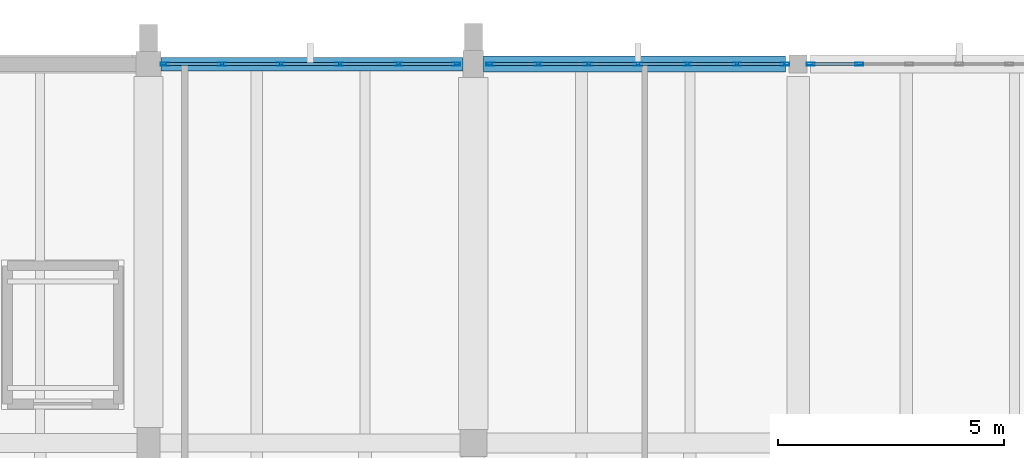
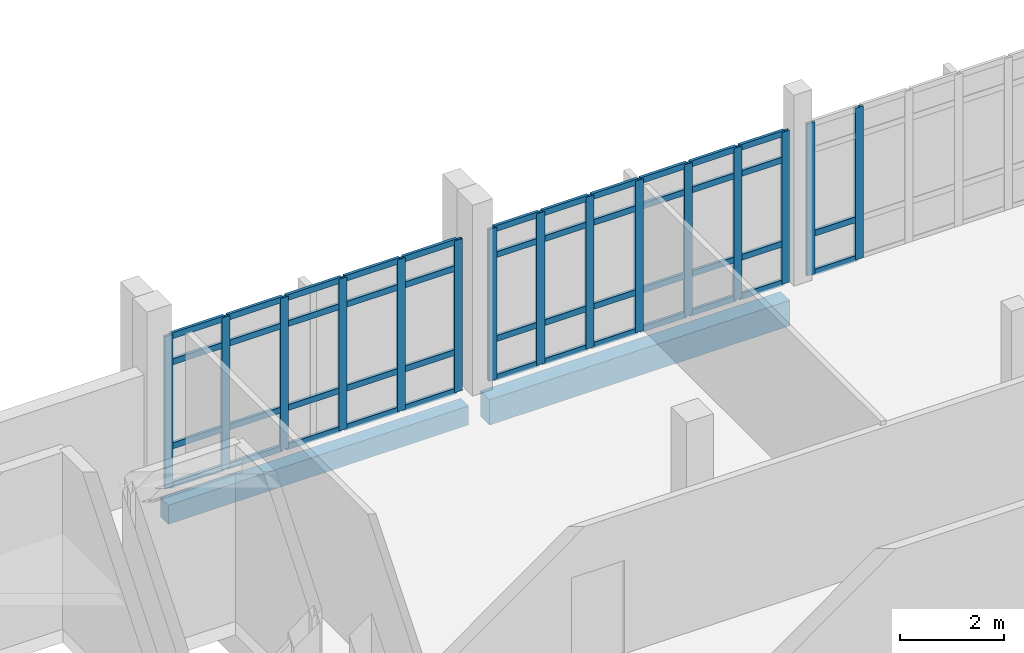
# One storey, part 25 of 41: 61 members, 2 beams, 3 elements without a shape of their own.
"""IFC4 building model written with IfcOpenShell, lengths in metres."""

from ifc_helpers import new_model, si_unit, direction, frame, origin, origin_2d, place, context, subcontext, project, spatial, rectangle, hollow_rectangle, extrude, material, material_profile, profile_set, type_object, element, aggregate, save


model = new_model("IFC4")

# Units and contexts
model_context = context("Model", 3, precision=1e-05, world=origin(), true_north=direction((0.0, 1.0)))
body_context = subcontext(model_context, "Body", "Model", "MODEL_VIEW")
ifc_project = project(units=[si_unit("LENGTHUNIT", "METRE"), si_unit("AREAUNIT", "SQUARE_METRE"), si_unit("VOLUMEUNIT", "CUBIC_METRE"), si_unit("PLANEANGLEUNIT", "RADIAN"), si_unit("MASSUNIT", "GRAM", prefix="KILO")], contexts=[model_context])

# Site, building, storey
site_placement = place(None, origin())
site = spatial("IfcSite", under=ifc_project, at=site_placement, CompositionType="ELEMENT")
building_placement = place(site_placement, origin())
building = spatial("IfcBuilding", under=site, at=building_placement, Name="Kalluvel Institute of Natural Sciences", CompositionType="ELEMENT")
storey_placement = place(building_placement, frame((0.0, 0.0, 32.39990234375)))
storey = spatial("IfcBuildingStorey", under=building, at=storey_placement, Name="L07", CompositionType="ELEMENT", Elevation=32.39990234375)

# Curtain wall, members
ifc_material_1 = material(Name="Aluminium AW-6063 T6", Category="aluminium")
curtain_wall_type = type_object("IfcCurtainWallType", Name="CW-WET-45", PredefinedType="USERDEFINED", material=ifc_material_1)
curtain_wall_1_placement = place(storey_placement, origin())
curtain_wall_1 = element("IfcCurtainWall", 1, at=curtain_wall_1_placement, inside=storey, type_object=curtain_wall_type, Name="L07 Gothic lancet curtain wall CWA-L07-X791-Y1280", ObjectType="UNITISED LANCET FACADE", PredefinedType="USERDEFINED")
ifc_material_profile_1 = material_profile(ifc_material_1, hollow_rectangle(XDim=0.06494140625, YDim=0.179931640625, WallThickness=0.00439453125, at=origin_2d()), Name="CWM 65x180")
ifc_profile_set_1 = profile_set([ifc_material_profile_1], Name="Aluminium AW-6063 T6")
member_type_1 = type_object("IfcMemberType", Name="CWM-65x180", PredefinedType="MULLION", material=ifc_profile_set_1)
member_1_placement = place(storey_placement, frame((79.157470703125, 128.0, 0.0), z_axis=(0.0, 0.0, 1.0), x_axis=(0.0, 1.0, 0.0)))
member_1 = element("IfcMember", 2, at=member_1_placement, type_object=member_type_1, Name="CW-01 mullion 1", PredefinedType="MULLION", context=body_context, shape_type="SweptSolid", body=[
    extrude(hollow_rectangle(XDim=0.06494140625, YDim=0.179931640625, WallThickness=0.00439453125, at=origin_2d()), origin(), (0.0, 0.0, 1.0), 3.580078125),
])
member_2_placement = place(storey_placement, frame((80.429931640625, 128.0, 0.0), z_axis=(0.0, 0.0, 1.0), x_axis=(0.0, 1.0, 0.0)))
member_2 = element("IfcMember", 3, at=member_2_placement, type_object=member_type_1, Name="CW-01 mullion 2", PredefinedType="MULLION", context=body_context, shape_type="SweptSolid", body=[
    extrude(hollow_rectangle(XDim=0.06494140625, YDim=0.179931640625, WallThickness=0.00439453125, at=origin_2d()), origin(), (0.0, 0.0, 1.0), 3.580078125),
])
member_3_placement = place(storey_placement, frame((81.735107421875, 128.0, 0.0), z_axis=(0.0, 0.0, 1.0), x_axis=(0.0, 1.0, 0.0)))
member_3 = element("IfcMember", 4, at=member_3_placement, type_object=member_type_1, Name="CW-01 mullion 3", PredefinedType="MULLION", context=body_context, shape_type="SweptSolid", body=[
    extrude(hollow_rectangle(XDim=0.06494140625, YDim=0.179931640625, WallThickness=0.00439453125, at=origin_2d()), origin(), (0.0, 0.0, 1.0), 3.580078125),
])
member_4_placement = place(storey_placement, frame((83.0400390625, 128.0, 0.0), z_axis=(0.0, 0.0, 1.0), x_axis=(0.0, 1.0, 0.0)))
member_4 = element("IfcMember", 5, at=member_4_placement, type_object=member_type_1, Name="CW-01 mullion 4", PredefinedType="MULLION", context=body_context, shape_type="SweptSolid", body=[
    extrude(hollow_rectangle(XDim=0.06494140625, YDim=0.179931640625, WallThickness=0.00439453125, at=origin_2d()), origin(), (0.0, 0.0, 1.0), 3.580078125),
])
member_5_placement = place(storey_placement, frame((84.344970703125, 128.0, 0.0), z_axis=(0.0, 0.0, 1.0), x_axis=(0.0, 1.0, 0.0)))
member_5 = element("IfcMember", 6, at=member_5_placement, type_object=member_type_1, Name="CW-01 mullion 5", PredefinedType="MULLION", context=body_context, shape_type="SweptSolid", body=[
    extrude(hollow_rectangle(XDim=0.06494140625, YDim=0.179931640625, WallThickness=0.00439453125, at=origin_2d()), origin(), (0.0, 0.0, 1.0), 3.580078125),
])
member_6_placement = place(storey_placement, frame((85.617431640625, 128.0, 0.0), z_axis=(0.0, 0.0, 1.0), x_axis=(0.0, 1.0, 0.0)))
member_6 = element("IfcMember", 7, at=member_6_placement, type_object=member_type_1, Name="CW-01 mullion 6", PredefinedType="MULLION", context=body_context, shape_type="SweptSolid", body=[
    extrude(hollow_rectangle(XDim=0.06494140625, YDim=0.179931640625, WallThickness=0.00439453125, at=origin_2d()), origin(), (0.0, 0.0, 1.0), 3.580078125),
])

curtain_wall_2_placement = place(storey_placement, origin())
curtain_wall_2 = element("IfcCurtainWall", 8, at=curtain_wall_2_placement, inside=storey, type_object=curtain_wall_type, Name="L07 Gothic lancet curtain wall CWA-L07-X864-Y1280", ObjectType="UNITISED LANCET FACADE", PredefinedType="USERDEFINED")
member_7_placement = place(storey_placement, frame((86.382568359375, 128.0, 0.0), z_axis=(0.0, 0.0, 1.0), x_axis=(0.0, 1.0, 0.0)))
member_7 = element("IfcMember", 9, at=member_7_placement, type_object=member_type_1, Name="CW-01 mullion 1", PredefinedType="MULLION", context=body_context, shape_type="SweptSolid", body=[
    extrude(hollow_rectangle(XDim=0.06494140625, YDim=0.179931640625, WallThickness=0.00439453125, at=origin_2d()), origin(), (0.0, 0.0, 1.0), 3.580078125),
])
member_8_placement = place(storey_placement, frame((87.449951171875, 128.0, 0.0), z_axis=(0.0, 0.0, 1.0), x_axis=(0.0, 1.0, 0.0)))
member_8 = element("IfcMember", 10, at=member_8_placement, type_object=member_type_1, Name="CW-01 mullion 2", PredefinedType="MULLION", context=body_context, shape_type="SweptSolid", body=[
    extrude(hollow_rectangle(XDim=0.06494140625, YDim=0.179931640625, WallThickness=0.00439453125, at=origin_2d()), origin(), (0.0, 0.0, 1.0), 3.580078125),
])
member_9_placement = place(storey_placement, frame((88.550048828125, 128.0, 0.0), z_axis=(0.0, 0.0, 1.0), x_axis=(0.0, 1.0, 0.0)))
member_9 = element("IfcMember", 11, at=member_9_placement, type_object=member_type_1, Name="CW-01 mullion 3", PredefinedType="MULLION", context=body_context, shape_type="SweptSolid", body=[
    extrude(hollow_rectangle(XDim=0.06494140625, YDim=0.179931640625, WallThickness=0.00439453125, at=origin_2d()), origin(), (0.0, 0.0, 1.0), 3.580078125),
])
member_10_placement = place(storey_placement, frame((89.64990234375, 128.0, 0.0), z_axis=(0.0, 0.0, 1.0), x_axis=(0.0, 1.0, 0.0)))
member_10 = element("IfcMember", 12, at=member_10_placement, type_object=member_type_1, Name="CW-01 mullion 4", PredefinedType="MULLION", context=body_context, shape_type="SweptSolid", body=[
    extrude(hollow_rectangle(XDim=0.06494140625, YDim=0.179931640625, WallThickness=0.00439453125, at=origin_2d()), origin(), (0.0, 0.0, 1.0), 3.580078125),
])
member_11_placement = place(storey_placement, frame((90.75, 128.0, 0.0), z_axis=(0.0, 0.0, 1.0), x_axis=(0.0, 1.0, 0.0)))
member_11 = element("IfcMember", 13, at=member_11_placement, type_object=member_type_1, Name="CW-01 mullion 5", PredefinedType="MULLION", context=body_context, shape_type="SweptSolid", body=[
    extrude(hollow_rectangle(XDim=0.06494140625, YDim=0.179931640625, WallThickness=0.00439453125, at=origin_2d()), origin(), (0.0, 0.0, 1.0), 3.580078125),
])
member_12_placement = place(storey_placement, frame((91.85009765625, 128.0, 0.0), z_axis=(0.0, 0.0, 1.0), x_axis=(0.0, 1.0, 0.0)))
member_12 = element("IfcMember", 14, at=member_12_placement, type_object=member_type_1, Name="CW-01 mullion 6", PredefinedType="MULLION", context=body_context, shape_type="SweptSolid", body=[
    extrude(hollow_rectangle(XDim=0.06494140625, YDim=0.179931640625, WallThickness=0.00439453125, at=origin_2d()), origin(), (0.0, 0.0, 1.0), 3.580078125),
])
member_13_placement = place(storey_placement, frame((92.91748046875, 128.0, 0.0), z_axis=(0.0, 0.0, 1.0), x_axis=(0.0, 1.0, 0.0)))
member_13 = element("IfcMember", 15, at=member_13_placement, type_object=member_type_1, Name="CW-01 mullion 7", PredefinedType="MULLION", context=body_context, shape_type="SweptSolid", body=[
    extrude(hollow_rectangle(XDim=0.06494140625, YDim=0.179931640625, WallThickness=0.00439453125, at=origin_2d()), origin(), (0.0, 0.0, 1.0), 3.580078125),
])

curtain_wall_3_placement = place(storey_placement, origin())
curtain_wall_3 = element("IfcCurtainWall", 16, at=curtain_wall_3_placement, inside=storey, type_object=curtain_wall_type, Name="L07 Gothic lancet curtain wall CWA-L07-X934-Y1280", ObjectType="UNITISED LANCET FACADE", PredefinedType="USERDEFINED")
member_14_placement = place(storey_placement, frame((93.482421875, 128.0, 0.0), z_axis=(0.0, 0.0, 1.0), x_axis=(0.0, 1.0, 0.0)))
member_14 = element("IfcMember", 17, at=member_14_placement, type_object=member_type_1, Name="CW-01 mullion 1", PredefinedType="MULLION", context=body_context, shape_type="SweptSolid", body=[
    extrude(hollow_rectangle(XDim=0.06494140625, YDim=0.179931640625, WallThickness=0.00439453125, at=origin_2d()), origin(), (0.0, 0.0, 1.0), 3.580078125),
])
member_15_placement = place(storey_placement, frame((94.558349609375, 128.0, 0.0), z_axis=(0.0, 0.0, 1.0), x_axis=(0.0, 1.0, 0.0)))
member_15 = element("IfcMember", 18, at=member_15_placement, type_object=member_type_1, Name="CW-01 mullion 2", PredefinedType="MULLION", context=body_context, shape_type="SweptSolid", body=[
    extrude(hollow_rectangle(XDim=0.06494140625, YDim=0.179931640625, WallThickness=0.00439453125, at=origin_2d()), origin(), (0.0, 0.0, 1.0), 3.580078125),
])

# Member
ifc_material_profile_2 = material_profile(ifc_material_1, hollow_rectangle(XDim=0.06494140625, YDim=0.139892578125, WallThickness=0.00439453125, at=origin_2d()), Name="CWT 65x140")
ifc_profile_set_2 = profile_set([ifc_material_profile_2], Name="Aluminium AW-6063 T6")
member_type_2 = type_object("IfcMemberType", Name="CWT-65x140", PredefinedType="USERDEFINED", material=ifc_profile_set_2)
member_16_placement = place(storey_placement, frame((79.18994140625, 128.0, 0.03271484375), z_axis=(1.0, 0.0, 0.0), x_axis=(0.0, 1.0, 0.0)))
member_16 = element("IfcMember", 19, at=member_16_placement, type_object=member_type_2, Name="CW-01 transom 1.1", ObjectType="TRANSOM", PredefinedType="USERDEFINED", context=body_context, shape_type="SweptSolid", body=[
    extrude(hollow_rectangle(XDim=0.06494140625, YDim=0.139892578125, WallThickness=0.00439453125, at=origin_2d()), origin(), (0.0, 0.0, 1.0), 1.20751953125),
])

member_17_placement = place(storey_placement, frame((79.18994140625, 128.0, 0.9501953125), z_axis=(1.0, 0.0, 0.0), x_axis=(0.0, 1.0, 0.0)))
member_17 = element("IfcMember", 20, at=member_17_placement, type_object=member_type_2, Name="CW-01 transom 1.2", ObjectType="TRANSOM", PredefinedType="USERDEFINED", context=body_context, shape_type="SweptSolid", body=[
    extrude(hollow_rectangle(XDim=0.06494140625, YDim=0.139892578125, WallThickness=0.00439453125, at=origin_2d()), origin(), (0.0, 0.0, 1.0), 1.20751953125),
])

member_18_placement = place(storey_placement, frame((79.18994140625, 128.0, 2.93017578125), z_axis=(1.0, 0.0, 0.0), x_axis=(0.0, 1.0, 0.0)))
member_18 = element("IfcMember", 21, at=member_18_placement, type_object=member_type_2, Name="CW-01 transom 1.3", ObjectType="TRANSOM", PredefinedType="USERDEFINED", context=body_context, shape_type="SweptSolid", body=[
    extrude(hollow_rectangle(XDim=0.06494140625, YDim=0.139892578125, WallThickness=0.00439453125, at=origin_2d()), origin(), (0.0, 0.0, 1.0), 1.20751953125),
])

member_19_placement = place(storey_placement, frame((79.18994140625, 128.0, 3.547607421875), z_axis=(1.0, 0.0, 0.0), x_axis=(0.0, 1.0, 0.0)))
member_19 = element("IfcMember", 22, at=member_19_placement, type_object=member_type_2, Name="CW-01 transom 1.4", ObjectType="TRANSOM", PredefinedType="USERDEFINED", context=body_context, shape_type="SweptSolid", body=[
    extrude(hollow_rectangle(XDim=0.06494140625, YDim=0.139892578125, WallThickness=0.00439453125, at=origin_2d()), origin(), (0.0, 0.0, 1.0), 1.20751953125),
])

member_20_placement = place(storey_placement, frame((80.46240234375, 128.0, 0.03271484375), z_axis=(1.0, 0.0, 0.0), x_axis=(0.0, 1.0, 0.0)))
member_20 = element("IfcMember", 23, at=member_20_placement, type_object=member_type_2, Name="CW-01 transom 2.1", ObjectType="TRANSOM", PredefinedType="USERDEFINED", context=body_context, shape_type="SweptSolid", body=[
    extrude(hollow_rectangle(XDim=0.06494140625, YDim=0.139892578125, WallThickness=0.00439453125, at=origin_2d()), origin(), (0.0, 0.0, 1.0), 1.239990234375),
])

member_21_placement = place(storey_placement, frame((80.46240234375, 128.0, 0.9501953125), z_axis=(1.0, 0.0, 0.0), x_axis=(0.0, 1.0, 0.0)))
member_21 = element("IfcMember", 24, at=member_21_placement, type_object=member_type_2, Name="CW-01 transom 2.2", ObjectType="TRANSOM", PredefinedType="USERDEFINED", context=body_context, shape_type="SweptSolid", body=[
    extrude(hollow_rectangle(XDim=0.06494140625, YDim=0.139892578125, WallThickness=0.00439453125, at=origin_2d()), origin(), (0.0, 0.0, 1.0), 1.239990234375),
])

member_22_placement = place(storey_placement, frame((80.46240234375, 128.0, 2.93017578125), z_axis=(1.0, 0.0, 0.0), x_axis=(0.0, 1.0, 0.0)))
member_22 = element("IfcMember", 25, at=member_22_placement, type_object=member_type_2, Name="CW-01 transom 2.3", ObjectType="TRANSOM", PredefinedType="USERDEFINED", context=body_context, shape_type="SweptSolid", body=[
    extrude(hollow_rectangle(XDim=0.06494140625, YDim=0.139892578125, WallThickness=0.00439453125, at=origin_2d()), origin(), (0.0, 0.0, 1.0), 1.239990234375),
])

member_23_placement = place(storey_placement, frame((80.46240234375, 128.0, 3.547607421875), z_axis=(1.0, 0.0, 0.0), x_axis=(0.0, 1.0, 0.0)))
member_23 = element("IfcMember", 26, at=member_23_placement, type_object=member_type_2, Name="CW-01 transom 2.4", ObjectType="TRANSOM", PredefinedType="USERDEFINED", context=body_context, shape_type="SweptSolid", body=[
    extrude(hollow_rectangle(XDim=0.06494140625, YDim=0.139892578125, WallThickness=0.00439453125, at=origin_2d()), origin(), (0.0, 0.0, 1.0), 1.239990234375),
])

member_24_placement = place(storey_placement, frame((81.767578125, 128.0, 0.03271484375), z_axis=(1.0, 0.0, 0.0), x_axis=(0.0, 1.0, 0.0)))
member_24 = element("IfcMember", 27, at=member_24_placement, type_object=member_type_2, Name="CW-01 transom 3.1", ObjectType="TRANSOM", PredefinedType="USERDEFINED", context=body_context, shape_type="SweptSolid", body=[
    extrude(hollow_rectangle(XDim=0.06494140625, YDim=0.139892578125, WallThickness=0.00439453125, at=origin_2d()), origin(), (0.0, 0.0, 1.0), 1.239990234375),
])

member_25_placement = place(storey_placement, frame((81.767578125, 128.0, 0.9501953125), z_axis=(1.0, 0.0, 0.0), x_axis=(0.0, 1.0, 0.0)))
member_25 = element("IfcMember", 28, at=member_25_placement, type_object=member_type_2, Name="CW-01 transom 3.2", ObjectType="TRANSOM", PredefinedType="USERDEFINED", context=body_context, shape_type="SweptSolid", body=[
    extrude(hollow_rectangle(XDim=0.06494140625, YDim=0.139892578125, WallThickness=0.00439453125, at=origin_2d()), origin(), (0.0, 0.0, 1.0), 1.239990234375),
])

member_26_placement = place(storey_placement, frame((81.767578125, 128.0, 2.93017578125), z_axis=(1.0, 0.0, 0.0), x_axis=(0.0, 1.0, 0.0)))
member_26 = element("IfcMember", 29, at=member_26_placement, type_object=member_type_2, Name="CW-01 transom 3.3", ObjectType="TRANSOM", PredefinedType="USERDEFINED", context=body_context, shape_type="SweptSolid", body=[
    extrude(hollow_rectangle(XDim=0.06494140625, YDim=0.139892578125, WallThickness=0.00439453125, at=origin_2d()), origin(), (0.0, 0.0, 1.0), 1.239990234375),
])

member_27_placement = place(storey_placement, frame((81.767578125, 128.0, 3.547607421875), z_axis=(1.0, 0.0, 0.0), x_axis=(0.0, 1.0, 0.0)))
member_27 = element("IfcMember", 30, at=member_27_placement, type_object=member_type_2, Name="CW-01 transom 3.4", ObjectType="TRANSOM", PredefinedType="USERDEFINED", context=body_context, shape_type="SweptSolid", body=[
    extrude(hollow_rectangle(XDim=0.06494140625, YDim=0.139892578125, WallThickness=0.00439453125, at=origin_2d()), origin(), (0.0, 0.0, 1.0), 1.239990234375),
])

member_28_placement = place(storey_placement, frame((83.072509765625, 128.0, 0.03271484375), z_axis=(1.0, 0.0, 0.0), x_axis=(0.0, 1.0, 0.0)))
member_28 = element("IfcMember", 31, at=member_28_placement, type_object=member_type_2, Name="CW-01 transom 4.1", ObjectType="TRANSOM", PredefinedType="USERDEFINED", context=body_context, shape_type="SweptSolid", body=[
    extrude(hollow_rectangle(XDim=0.06494140625, YDim=0.139892578125, WallThickness=0.00439453125, at=origin_2d()), origin(), (0.0, 0.0, 1.0), 1.239990234375),
])

member_29_placement = place(storey_placement, frame((83.072509765625, 128.0, 0.9501953125), z_axis=(1.0, 0.0, 0.0), x_axis=(0.0, 1.0, 0.0)))
member_29 = element("IfcMember", 32, at=member_29_placement, type_object=member_type_2, Name="CW-01 transom 4.2", ObjectType="TRANSOM", PredefinedType="USERDEFINED", context=body_context, shape_type="SweptSolid", body=[
    extrude(hollow_rectangle(XDim=0.06494140625, YDim=0.139892578125, WallThickness=0.00439453125, at=origin_2d()), origin(), (0.0, 0.0, 1.0), 1.239990234375),
])

member_30_placement = place(storey_placement, frame((83.072509765625, 128.0, 2.93017578125), z_axis=(1.0, 0.0, 0.0), x_axis=(0.0, 1.0, 0.0)))
member_30 = element("IfcMember", 33, at=member_30_placement, type_object=member_type_2, Name="CW-01 transom 4.3", ObjectType="TRANSOM", PredefinedType="USERDEFINED", context=body_context, shape_type="SweptSolid", body=[
    extrude(hollow_rectangle(XDim=0.06494140625, YDim=0.139892578125, WallThickness=0.00439453125, at=origin_2d()), origin(), (0.0, 0.0, 1.0), 1.239990234375),
])

member_31_placement = place(storey_placement, frame((83.072509765625, 128.0, 3.547607421875), z_axis=(1.0, 0.0, 0.0), x_axis=(0.0, 1.0, 0.0)))
member_31 = element("IfcMember", 34, at=member_31_placement, type_object=member_type_2, Name="CW-01 transom 4.4", ObjectType="TRANSOM", PredefinedType="USERDEFINED", context=body_context, shape_type="SweptSolid", body=[
    extrude(hollow_rectangle(XDim=0.06494140625, YDim=0.139892578125, WallThickness=0.00439453125, at=origin_2d()), origin(), (0.0, 0.0, 1.0), 1.239990234375),
])

member_32_placement = place(storey_placement, frame((84.37744140625, 128.0, 0.03271484375), z_axis=(1.0, 0.0, 0.0), x_axis=(0.0, 1.0, 0.0)))
member_32 = element("IfcMember", 35, at=member_32_placement, type_object=member_type_2, Name="CW-01 transom 5.1", ObjectType="TRANSOM", PredefinedType="USERDEFINED", context=body_context, shape_type="SweptSolid", body=[
    extrude(hollow_rectangle(XDim=0.06494140625, YDim=0.139892578125, WallThickness=0.00439453125, at=origin_2d()), origin(), (0.0, 0.0, 1.0), 1.20751953125),
])

member_33_placement = place(storey_placement, frame((84.37744140625, 128.0, 0.9501953125), z_axis=(1.0, 0.0, 0.0), x_axis=(0.0, 1.0, 0.0)))
member_33 = element("IfcMember", 36, at=member_33_placement, type_object=member_type_2, Name="CW-01 transom 5.2", ObjectType="TRANSOM", PredefinedType="USERDEFINED", context=body_context, shape_type="SweptSolid", body=[
    extrude(hollow_rectangle(XDim=0.06494140625, YDim=0.139892578125, WallThickness=0.00439453125, at=origin_2d()), origin(), (0.0, 0.0, 1.0), 1.20751953125),
])

member_34_placement = place(storey_placement, frame((84.37744140625, 128.0, 2.93017578125), z_axis=(1.0, 0.0, 0.0), x_axis=(0.0, 1.0, 0.0)))
member_34 = element("IfcMember", 37, at=member_34_placement, type_object=member_type_2, Name="CW-01 transom 5.3", ObjectType="TRANSOM", PredefinedType="USERDEFINED", context=body_context, shape_type="SweptSolid", body=[
    extrude(hollow_rectangle(XDim=0.06494140625, YDim=0.139892578125, WallThickness=0.00439453125, at=origin_2d()), origin(), (0.0, 0.0, 1.0), 1.20751953125),
])

member_35_placement = place(storey_placement, frame((84.37744140625, 128.0, 3.547607421875), z_axis=(1.0, 0.0, 0.0), x_axis=(0.0, 1.0, 0.0)))
member_35 = element("IfcMember", 38, at=member_35_placement, type_object=member_type_2, Name="CW-01 transom 5.4", ObjectType="TRANSOM", PredefinedType="USERDEFINED", context=body_context, shape_type="SweptSolid", body=[
    extrude(hollow_rectangle(XDim=0.06494140625, YDim=0.139892578125, WallThickness=0.00439453125, at=origin_2d()), origin(), (0.0, 0.0, 1.0), 1.20751953125),
])

aggregate(curtain_wall_1, [member_1, member_2, member_3, member_4, member_5, member_6, member_16, member_17, member_18, member_19, member_20, member_21, member_22, member_23, member_24, member_25, member_26, member_27, member_28, member_29, member_30, member_31, member_32, member_33, member_34, member_35])

member_36_placement = place(storey_placement, frame((86.4150390625, 128.0, 0.03271484375), z_axis=(1.0, 0.0, 0.0), x_axis=(0.0, 1.0, 0.0)))
member_36 = element("IfcMember", 39, at=member_36_placement, type_object=member_type_2, Name="CW-01 transom 1.1", ObjectType="TRANSOM", PredefinedType="USERDEFINED", context=body_context, shape_type="SweptSolid", body=[
    extrude(hollow_rectangle(XDim=0.06494140625, YDim=0.139892578125, WallThickness=0.00439453125, at=origin_2d()), origin(), (0.0, 0.0, 1.0), 1.00244140625),
])

member_37_placement = place(storey_placement, frame((86.4150390625, 128.0, 0.9501953125), z_axis=(1.0, 0.0, 0.0), x_axis=(0.0, 1.0, 0.0)))
member_37 = element("IfcMember", 40, at=member_37_placement, type_object=member_type_2, Name="CW-01 transom 1.2", ObjectType="TRANSOM", PredefinedType="USERDEFINED", context=body_context, shape_type="SweptSolid", body=[
    extrude(hollow_rectangle(XDim=0.06494140625, YDim=0.139892578125, WallThickness=0.00439453125, at=origin_2d()), origin(), (0.0, 0.0, 1.0), 1.00244140625),
])

member_38_placement = place(storey_placement, frame((86.4150390625, 128.0, 2.93017578125), z_axis=(1.0, 0.0, 0.0), x_axis=(0.0, 1.0, 0.0)))
member_38 = element("IfcMember", 41, at=member_38_placement, type_object=member_type_2, Name="CW-01 transom 1.3", ObjectType="TRANSOM", PredefinedType="USERDEFINED", context=body_context, shape_type="SweptSolid", body=[
    extrude(hollow_rectangle(XDim=0.06494140625, YDim=0.139892578125, WallThickness=0.00439453125, at=origin_2d()), origin(), (0.0, 0.0, 1.0), 1.00244140625),
])

member_39_placement = place(storey_placement, frame((86.4150390625, 128.0, 3.547607421875), z_axis=(1.0, 0.0, 0.0), x_axis=(0.0, 1.0, 0.0)))
member_39 = element("IfcMember", 42, at=member_39_placement, type_object=member_type_2, Name="CW-01 transom 1.4", ObjectType="TRANSOM", PredefinedType="USERDEFINED", context=body_context, shape_type="SweptSolid", body=[
    extrude(hollow_rectangle(XDim=0.06494140625, YDim=0.139892578125, WallThickness=0.00439453125, at=origin_2d()), origin(), (0.0, 0.0, 1.0), 1.00244140625),
])

member_40_placement = place(storey_placement, frame((87.482421875, 128.0, 0.03271484375), z_axis=(1.0, 0.0, 0.0), x_axis=(0.0, 1.0, 0.0)))
member_40 = element("IfcMember", 43, at=member_40_placement, type_object=member_type_2, Name="CW-01 transom 2.1", ObjectType="TRANSOM", PredefinedType="USERDEFINED", context=body_context, shape_type="SweptSolid", body=[
    extrude(hollow_rectangle(XDim=0.06494140625, YDim=0.139892578125, WallThickness=0.00439453125, at=origin_2d()), origin(), (0.0, 0.0, 1.0), 1.03515625),
])

member_41_placement = place(storey_placement, frame((87.482421875, 128.0, 0.9501953125), z_axis=(1.0, 0.0, 0.0), x_axis=(0.0, 1.0, 0.0)))
member_41 = element("IfcMember", 44, at=member_41_placement, type_object=member_type_2, Name="CW-01 transom 2.2", ObjectType="TRANSOM", PredefinedType="USERDEFINED", context=body_context, shape_type="SweptSolid", body=[
    extrude(hollow_rectangle(XDim=0.06494140625, YDim=0.139892578125, WallThickness=0.00439453125, at=origin_2d()), origin(), (0.0, 0.0, 1.0), 1.03515625),
])

member_42_placement = place(storey_placement, frame((87.482421875, 128.0, 2.93017578125), z_axis=(1.0, 0.0, 0.0), x_axis=(0.0, 1.0, 0.0)))
member_42 = element("IfcMember", 45, at=member_42_placement, type_object=member_type_2, Name="CW-01 transom 2.3", ObjectType="TRANSOM", PredefinedType="USERDEFINED", context=body_context, shape_type="SweptSolid", body=[
    extrude(hollow_rectangle(XDim=0.06494140625, YDim=0.139892578125, WallThickness=0.00439453125, at=origin_2d()), origin(), (0.0, 0.0, 1.0), 1.03515625),
])

member_43_placement = place(storey_placement, frame((87.482421875, 128.0, 3.547607421875), z_axis=(1.0, 0.0, 0.0), x_axis=(0.0, 1.0, 0.0)))
member_43 = element("IfcMember", 46, at=member_43_placement, type_object=member_type_2, Name="CW-01 transom 2.4", ObjectType="TRANSOM", PredefinedType="USERDEFINED", context=body_context, shape_type="SweptSolid", body=[
    extrude(hollow_rectangle(XDim=0.06494140625, YDim=0.139892578125, WallThickness=0.00439453125, at=origin_2d()), origin(), (0.0, 0.0, 1.0), 1.03515625),
])

member_44_placement = place(storey_placement, frame((88.58251953125, 128.0, 0.03271484375), z_axis=(1.0, 0.0, 0.0), x_axis=(0.0, 1.0, 0.0)))
member_44 = element("IfcMember", 47, at=member_44_placement, type_object=member_type_2, Name="CW-01 transom 3.1", ObjectType="TRANSOM", PredefinedType="USERDEFINED", context=body_context, shape_type="SweptSolid", body=[
    extrude(hollow_rectangle(XDim=0.06494140625, YDim=0.139892578125, WallThickness=0.00439453125, at=origin_2d()), origin(), (0.0, 0.0, 1.0), 1.034912109375),
])

member_45_placement = place(storey_placement, frame((88.58251953125, 128.0, 0.9501953125), z_axis=(1.0, 0.0, 0.0), x_axis=(0.0, 1.0, 0.0)))
member_45 = element("IfcMember", 48, at=member_45_placement, type_object=member_type_2, Name="CW-01 transom 3.2", ObjectType="TRANSOM", PredefinedType="USERDEFINED", context=body_context, shape_type="SweptSolid", body=[
    extrude(hollow_rectangle(XDim=0.06494140625, YDim=0.139892578125, WallThickness=0.00439453125, at=origin_2d()), origin(), (0.0, 0.0, 1.0), 1.034912109375),
])

member_46_placement = place(storey_placement, frame((88.58251953125, 128.0, 2.93017578125), z_axis=(1.0, 0.0, 0.0), x_axis=(0.0, 1.0, 0.0)))
member_46 = element("IfcMember", 49, at=member_46_placement, type_object=member_type_2, Name="CW-01 transom 3.3", ObjectType="TRANSOM", PredefinedType="USERDEFINED", context=body_context, shape_type="SweptSolid", body=[
    extrude(hollow_rectangle(XDim=0.06494140625, YDim=0.139892578125, WallThickness=0.00439453125, at=origin_2d()), origin(), (0.0, 0.0, 1.0), 1.034912109375),
])

member_47_placement = place(storey_placement, frame((88.58251953125, 128.0, 3.547607421875), z_axis=(1.0, 0.0, 0.0), x_axis=(0.0, 1.0, 0.0)))
member_47 = element("IfcMember", 50, at=member_47_placement, type_object=member_type_2, Name="CW-01 transom 3.4", ObjectType="TRANSOM", PredefinedType="USERDEFINED", context=body_context, shape_type="SweptSolid", body=[
    extrude(hollow_rectangle(XDim=0.06494140625, YDim=0.139892578125, WallThickness=0.00439453125, at=origin_2d()), origin(), (0.0, 0.0, 1.0), 1.034912109375),
])

member_48_placement = place(storey_placement, frame((89.6826171875, 128.0, 0.03271484375), z_axis=(1.0, 0.0, 0.0), x_axis=(0.0, 1.0, 0.0)))
member_48 = element("IfcMember", 51, at=member_48_placement, type_object=member_type_2, Name="CW-01 transom 4.1", ObjectType="TRANSOM", PredefinedType="USERDEFINED", context=body_context, shape_type="SweptSolid", body=[
    extrude(hollow_rectangle(XDim=0.06494140625, YDim=0.139892578125, WallThickness=0.00439453125, at=origin_2d()), origin(), (0.0, 0.0, 1.0), 1.034912109375),
])

member_49_placement = place(storey_placement, frame((89.6826171875, 128.0, 0.9501953125), z_axis=(1.0, 0.0, 0.0), x_axis=(0.0, 1.0, 0.0)))
member_49 = element("IfcMember", 52, at=member_49_placement, type_object=member_type_2, Name="CW-01 transom 4.2", ObjectType="TRANSOM", PredefinedType="USERDEFINED", context=body_context, shape_type="SweptSolid", body=[
    extrude(hollow_rectangle(XDim=0.06494140625, YDim=0.139892578125, WallThickness=0.00439453125, at=origin_2d()), origin(), (0.0, 0.0, 1.0), 1.034912109375),
])

member_50_placement = place(storey_placement, frame((89.6826171875, 128.0, 2.93017578125), z_axis=(1.0, 0.0, 0.0), x_axis=(0.0, 1.0, 0.0)))
member_50 = element("IfcMember", 53, at=member_50_placement, type_object=member_type_2, Name="CW-01 transom 4.3", ObjectType="TRANSOM", PredefinedType="USERDEFINED", context=body_context, shape_type="SweptSolid", body=[
    extrude(hollow_rectangle(XDim=0.06494140625, YDim=0.139892578125, WallThickness=0.00439453125, at=origin_2d()), origin(), (0.0, 0.0, 1.0), 1.034912109375),
])

member_51_placement = place(storey_placement, frame((89.6826171875, 128.0, 3.547607421875), z_axis=(1.0, 0.0, 0.0), x_axis=(0.0, 1.0, 0.0)))
member_51 = element("IfcMember", 54, at=member_51_placement, type_object=member_type_2, Name="CW-01 transom 4.4", ObjectType="TRANSOM", PredefinedType="USERDEFINED", context=body_context, shape_type="SweptSolid", body=[
    extrude(hollow_rectangle(XDim=0.06494140625, YDim=0.139892578125, WallThickness=0.00439453125, at=origin_2d()), origin(), (0.0, 0.0, 1.0), 1.034912109375),
])

member_52_placement = place(storey_placement, frame((90.782470703125, 128.0, 0.03271484375), z_axis=(1.0, 0.0, 0.0), x_axis=(0.0, 1.0, 0.0)))
member_52 = element("IfcMember", 55, at=member_52_placement, type_object=member_type_2, Name="CW-01 transom 5.1", ObjectType="TRANSOM", PredefinedType="USERDEFINED", context=body_context, shape_type="SweptSolid", body=[
    extrude(hollow_rectangle(XDim=0.06494140625, YDim=0.139892578125, WallThickness=0.00439453125, at=origin_2d()), origin(), (0.0, 0.0, 1.0), 1.034912109375),
])

member_53_placement = place(storey_placement, frame((90.782470703125, 128.0, 0.9501953125), z_axis=(1.0, 0.0, 0.0), x_axis=(0.0, 1.0, 0.0)))
member_53 = element("IfcMember", 56, at=member_53_placement, type_object=member_type_2, Name="CW-01 transom 5.2", ObjectType="TRANSOM", PredefinedType="USERDEFINED", context=body_context, shape_type="SweptSolid", body=[
    extrude(hollow_rectangle(XDim=0.06494140625, YDim=0.139892578125, WallThickness=0.00439453125, at=origin_2d()), origin(), (0.0, 0.0, 1.0), 1.034912109375),
])

member_54_placement = place(storey_placement, frame((90.782470703125, 128.0, 2.93017578125), z_axis=(1.0, 0.0, 0.0), x_axis=(0.0, 1.0, 0.0)))
member_54 = element("IfcMember", 57, at=member_54_placement, type_object=member_type_2, Name="CW-01 transom 5.3", ObjectType="TRANSOM", PredefinedType="USERDEFINED", context=body_context, shape_type="SweptSolid", body=[
    extrude(hollow_rectangle(XDim=0.06494140625, YDim=0.139892578125, WallThickness=0.00439453125, at=origin_2d()), origin(), (0.0, 0.0, 1.0), 1.034912109375),
])

member_55_placement = place(storey_placement, frame((90.782470703125, 128.0, 3.547607421875), z_axis=(1.0, 0.0, 0.0), x_axis=(0.0, 1.0, 0.0)))
member_55 = element("IfcMember", 58, at=member_55_placement, type_object=member_type_2, Name="CW-01 transom 5.4", ObjectType="TRANSOM", PredefinedType="USERDEFINED", context=body_context, shape_type="SweptSolid", body=[
    extrude(hollow_rectangle(XDim=0.06494140625, YDim=0.139892578125, WallThickness=0.00439453125, at=origin_2d()), origin(), (0.0, 0.0, 1.0), 1.034912109375),
])

member_56_placement = place(storey_placement, frame((91.882568359375, 128.0, 0.03271484375), z_axis=(1.0, 0.0, 0.0), x_axis=(0.0, 1.0, 0.0)))
member_56 = element("IfcMember", 59, at=member_56_placement, type_object=member_type_2, Name="CW-01 transom 6.1", ObjectType="TRANSOM", PredefinedType="USERDEFINED", context=body_context, shape_type="SweptSolid", body=[
    extrude(hollow_rectangle(XDim=0.06494140625, YDim=0.139892578125, WallThickness=0.00439453125, at=origin_2d()), origin(), (0.0, 0.0, 1.0), 1.00244140625),
])

member_57_placement = place(storey_placement, frame((91.882568359375, 128.0, 0.9501953125), z_axis=(1.0, 0.0, 0.0), x_axis=(0.0, 1.0, 0.0)))
member_57 = element("IfcMember", 60, at=member_57_placement, type_object=member_type_2, Name="CW-01 transom 6.2", ObjectType="TRANSOM", PredefinedType="USERDEFINED", context=body_context, shape_type="SweptSolid", body=[
    extrude(hollow_rectangle(XDim=0.06494140625, YDim=0.139892578125, WallThickness=0.00439453125, at=origin_2d()), origin(), (0.0, 0.0, 1.0), 1.00244140625),
])

member_58_placement = place(storey_placement, frame((91.882568359375, 128.0, 2.93017578125), z_axis=(1.0, 0.0, 0.0), x_axis=(0.0, 1.0, 0.0)))
member_58 = element("IfcMember", 61, at=member_58_placement, type_object=member_type_2, Name="CW-01 transom 6.3", ObjectType="TRANSOM", PredefinedType="USERDEFINED", context=body_context, shape_type="SweptSolid", body=[
    extrude(hollow_rectangle(XDim=0.06494140625, YDim=0.139892578125, WallThickness=0.00439453125, at=origin_2d()), origin(), (0.0, 0.0, 1.0), 1.00244140625),
])

member_59_placement = place(storey_placement, frame((91.882568359375, 128.0, 3.547607421875), z_axis=(1.0, 0.0, 0.0), x_axis=(0.0, 1.0, 0.0)))
member_59 = element("IfcMember", 62, at=member_59_placement, type_object=member_type_2, Name="CW-01 transom 6.4", ObjectType="TRANSOM", PredefinedType="USERDEFINED", context=body_context, shape_type="SweptSolid", body=[
    extrude(hollow_rectangle(XDim=0.06494140625, YDim=0.139892578125, WallThickness=0.00439453125, at=origin_2d()), origin(), (0.0, 0.0, 1.0), 1.00244140625),
])

aggregate(curtain_wall_2, [member_7, member_8, member_9, member_10, member_11, member_12, member_13, member_36, member_37, member_38, member_39, member_40, member_41, member_42, member_43, member_44, member_45, member_46, member_47, member_48, member_49, member_50, member_51, member_52, member_53, member_54, member_55, member_56, member_57, member_58, member_59])

member_60_placement = place(storey_placement, frame((93.514892578125, 128.0, 0.03271484375), z_axis=(1.0, 0.0, 0.0), x_axis=(0.0, 1.0, 0.0)))
member_60 = element("IfcMember", 63, at=member_60_placement, type_object=member_type_2, Name="CW-01 transom 1.1", ObjectType="TRANSOM", PredefinedType="USERDEFINED", context=body_context, shape_type="SweptSolid", body=[
    extrude(hollow_rectangle(XDim=0.06494140625, YDim=0.139892578125, WallThickness=0.00439453125, at=origin_2d()), origin(), (0.0, 0.0, 1.0), 1.010986328125),
])

member_61_placement = place(storey_placement, frame((93.514892578125, 128.0, 0.9501953125), z_axis=(1.0, 0.0, 0.0), x_axis=(0.0, 1.0, 0.0)))
member_61 = element("IfcMember", 64, at=member_61_placement, type_object=member_type_2, Name="CW-01 transom 1.2", ObjectType="TRANSOM", PredefinedType="USERDEFINED", context=body_context, shape_type="SweptSolid", body=[
    extrude(hollow_rectangle(XDim=0.06494140625, YDim=0.139892578125, WallThickness=0.00439453125, at=origin_2d()), origin(), (0.0, 0.0, 1.0), 1.010986328125),
])

aggregate(curtain_wall_3, [member_14, member_15, member_60, member_61])

# Beams
ifc_material_2 = material(Name="Concrete M40", Category="concrete")
ifc_material_profile_3 = material_profile(ifc_material_2, rectangle(XDim=0.300048828125, YDim=0.449951171875, at=origin_2d()), Name="RCB 300x450")
ifc_profile_set_3 = profile_set([ifc_material_profile_3], Name="Concrete M40")
beam_type_1 = type_object("IfcBeamType", Name="SP-RC300x450", PredefinedType="SPANDREL", material=ifc_profile_set_3)
beam_1_placement = place(storey_placement, frame((79.074951171875, 128.0, -0.544921875), z_axis=(1.0, 0.0, 0.0), x_axis=(0.0, 1.0, 0.0)))
element("IfcBeam", 65, at=beam_1_placement, inside=storey, type_object=beam_type_1, Name="L07 girder GIR-L07-EW-X788-Y1280", PredefinedType="SPANDREL", context=body_context, shape_type="SweptSolid", body=[
    extrude(rectangle(XDim=0.300048828125, YDim=0.449951171875, at=origin_2d()), origin(), (0.0, 0.0, 1.0), 6.699951171875),
])
ifc_material_profile_4 = material_profile(ifc_material_2, rectangle(XDim=0.35009765625, YDim=0.60009765625, at=origin_2d()), Name="RCB 350x600")
ifc_profile_set_4 = profile_set([ifc_material_profile_4], Name="Concrete M40")
beam_type_2 = type_object("IfcBeamType", Name="SP-RC350x600", PredefinedType="SPANDREL", material=ifc_profile_set_4)
beam_2_placement = place(storey_placement, frame((86.22509765625, 128.0, -0.619873046875), z_axis=(1.0, 0.0, 0.0), x_axis=(0.0, 1.0, 0.0)))
element("IfcBeam", 66, at=beam_2_placement, inside=storey, type_object=beam_type_2, Name="L07 girder GIR-L07-EW-X860-Y1280", PredefinedType="SPANDREL", context=body_context, shape_type="SweptSolid", body=[
    extrude(rectangle(XDim=0.35009765625, YDim=0.60009765625, at=origin_2d()), origin(), (0.0, 0.0, 1.0), 6.699951171875),
])

save(model, "model.ifc")
